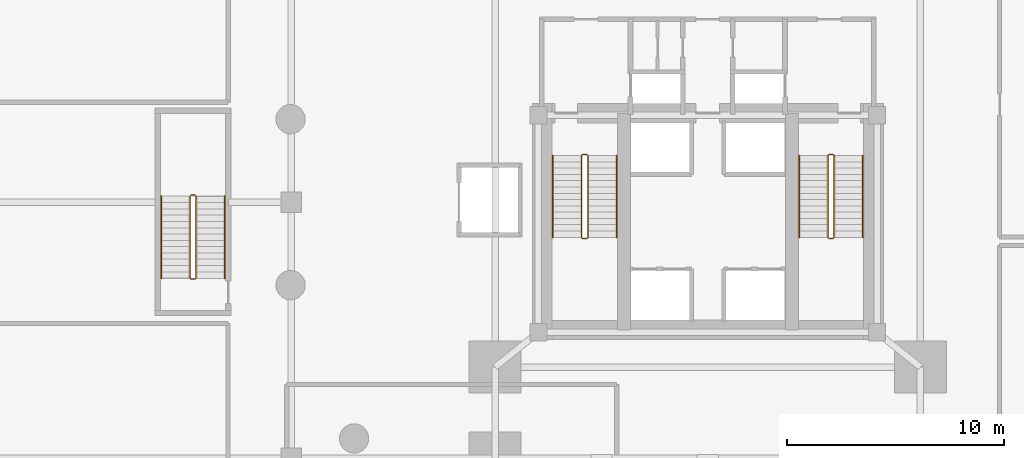
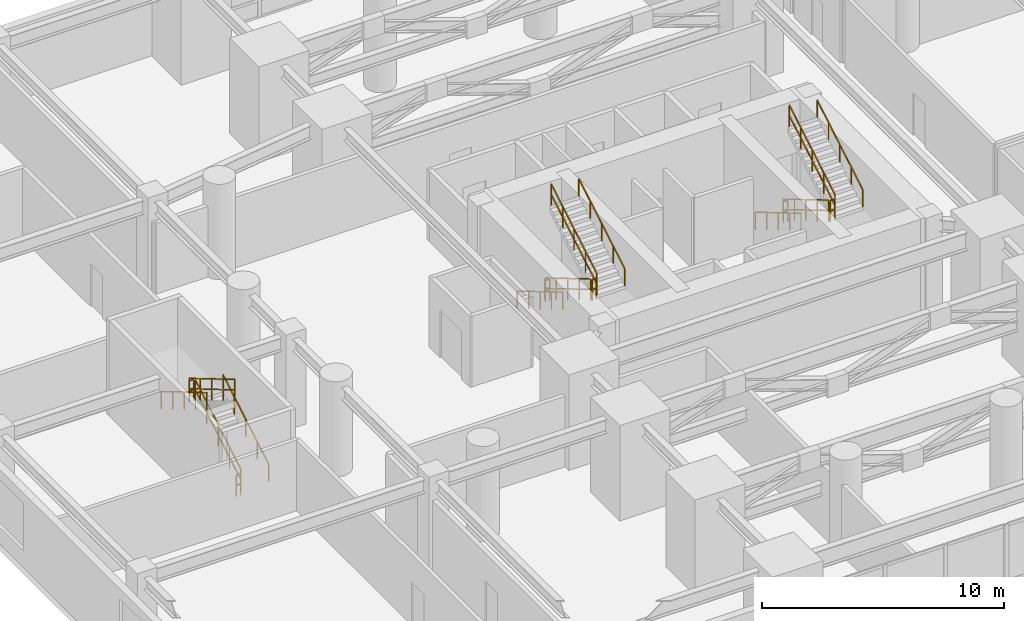
# One storey, part 17 of 17: 18 railings.
"""IFC4 building model written with IfcOpenShell, lengths in metres."""

from ifc_helpers import new_model, si_unit, direction, frame, origin, origin_2d, place, context, subcontext, project, spatial, rectangle, extrude, material, type_object, element, save


model = new_model("IFC4")

# Units and contexts
model_context = context("Model", 3, precision=1e-05, world=origin(), true_north=direction((0.0, 1.0)))
body_context = subcontext(model_context, "Body", "Model", "MODEL_VIEW")
ifc_project = project(units=[si_unit("LENGTHUNIT", "METRE"), si_unit("AREAUNIT", "SQUARE_METRE"), si_unit("VOLUMEUNIT", "CUBIC_METRE"), si_unit("PLANEANGLEUNIT", "RADIAN"), si_unit("MASSUNIT", "GRAM", prefix="KILO"), si_unit("THERMODYNAMICTEMPERATUREUNIT", "KELVIN"), si_unit("POWERUNIT", "WATT")], contexts=[model_context])

# Site, building, storey
site_placement = place(None, origin())
site = spatial("IfcSite", under=ifc_project, at=site_placement, CompositionType="ELEMENT")
building_placement = place(site_placement, origin())
building = spatial("IfcBuilding", under=site, at=building_placement, Name="Ocrelia Relay Tower", CompositionType="ELEMENT")
storey_placement = place(building_placement, frame((0.0, 0.0, 20.39990234375)))
storey = spatial("IfcBuildingStorey", under=building, at=storey_placement, Name="L04", CompositionType="ELEMENT", Elevation=20.39990234375)

# Railings
ifc_material_1 = material(Name="Steel S355 balustrade", Category="steel")
railing_type_1 = type_object("IfcRailingType", Name="RL-STAIR-GUARD", PredefinedType="GUARDRAIL", material=ifc_material_1)
railing_1_placement = place(storey_placement, frame((28.179931640625, 28.14990234375, 0.171630859375)))
element("IfcRailing", 1, at=railing_1_placement, inside=storey, type_object=railing_type_1, Name="L04 ST1 stair guard 1", PredefinedType="GUARDRAIL", context=body_context, shape_type="SweptSolid", body=[
    extrude(rectangle(XDim=0.048095703125, YDim=0.048095703125, at=origin_2d()), frame((0.0, 0.0, 1.076171875), z_axis=(0.0, -0.860848830602, 0.508860777473), x_axis=(1.0, 0.0, 0.0)), (0.0, 0.0, 1.0), 4.37939453125),
    extrude(rectangle(XDim=0.048095703125, YDim=0.048095703125, at=origin_2d()), frame((0.0, 0.0, 0.550048828125), z_axis=(0.0, -0.860848830602, 0.508860777473), x_axis=(1.0, 0.0, 0.0)), (0.0, 0.0, 1.0), 4.37939453125),
    extrude(rectangle(XDim=0.0419921875, YDim=0.0419921875, at=origin_2d()), origin(), (0.0, 0.0, 1.0), 1.052001953125),
    extrude(rectangle(XDim=0.0419921875, YDim=0.0419921875, at=origin_2d()), frame((0.0, -0.9423828125, 0.55712890625)), (0.0, 0.0, 1.0), 1.052001953125),
    extrude(rectangle(XDim=0.0419921875, YDim=0.0419921875, at=origin_2d()), frame((0.0, -1.885009765625, 1.1142578125)), (0.0, 0.0, 1.0), 1.052001953125),
    extrude(rectangle(XDim=0.0419921875, YDim=0.0419921875, at=origin_2d()), frame((0.0, -2.82763671875, 1.67138671875)), (0.0, 0.0, 1.0), 1.052001953125),
    extrude(rectangle(XDim=0.0419921875, YDim=0.0419921875, at=origin_2d()), frame((0.0, -3.77001953125, 2.228515625)), (0.0, 0.0, 1.0), 1.052001953125),
])
railing_2_placement = place(storey_placement, frame((28.22998046875, 24.330078125, 2.400146484375)))
element("IfcRailing", 2, at=railing_2_placement, inside=storey, type_object=railing_type_1, Name="L04 ST1 stair guard 2", PredefinedType="GUARDRAIL", context=body_context, shape_type="SweptSolid", body=[
    extrude(rectangle(XDim=0.048095703125, YDim=0.048095703125, at=origin_2d()), frame((0.0, 0.0, 1.076171875), z_axis=(1.0, 0.0, 0.0), x_axis=(0.0, 1.0, 0.0)), (0.0, 0.0, 1.0), 0.199951171875),
    extrude(rectangle(XDim=0.048095703125, YDim=0.048095703125, at=origin_2d()), frame((0.0, 0.0, 0.550048828125), z_axis=(1.0, 0.0, 0.0), x_axis=(0.0, 1.0, 0.0)), (0.0, 0.0, 1.0), 0.199951171875),
    extrude(rectangle(XDim=0.0419921875, YDim=0.0419921875, at=origin_2d()), origin(), (0.0, 0.0, 1.0), 1.052001953125),
    extrude(rectangle(XDim=0.0419921875, YDim=0.0419921875, at=origin_2d()), frame((0.199951171875, 0.0, 0.0)), (0.0, 0.0, 1.0), 1.052001953125),
])
railing_3_placement = place(storey_placement, frame((28.47998046875, 24.3798828125, 2.571533203125)))
element("IfcRailing", 3, at=railing_3_placement, inside=storey, type_object=railing_type_1, Name="L04 ST1 stair guard 3", PredefinedType="GUARDRAIL", context=body_context, shape_type="SweptSolid", body=[
    extrude(rectangle(XDim=0.048095703125, YDim=0.048095703125, at=origin_2d()), frame((0.0, 0.0, 1.076171875), z_axis=(0.0, 0.860848830602, 0.508860777473), x_axis=(-1.0, 0.0, 0.0)), (0.0, 0.0, 1.0), 4.37939453125),
    extrude(rectangle(XDim=0.048095703125, YDim=0.048095703125, at=origin_2d()), frame((0.0, 0.0, 0.550048828125), z_axis=(0.0, 0.860848830602, 0.508860777473), x_axis=(-1.0, 0.0, 0.0)), (0.0, 0.0, 1.0), 4.37939453125),
    extrude(rectangle(XDim=0.0419921875, YDim=0.0419921875, at=origin_2d()), origin(), (0.0, 0.0, 1.0), 1.052001953125),
    extrude(rectangle(XDim=0.0419921875, YDim=0.0419921875, at=origin_2d()), frame((0.0, 0.9423828125, 0.55712890625)), (0.0, 0.0, 1.0), 1.052001953125),
    extrude(rectangle(XDim=0.0419921875, YDim=0.0419921875, at=origin_2d()), frame((0.0, 1.885009765625, 1.1142578125)), (0.0, 0.0, 1.0), 1.052001953125),
    extrude(rectangle(XDim=0.0419921875, YDim=0.0419921875, at=origin_2d()), frame((0.0, 2.82763671875, 1.67138671875)), (0.0, 0.0, 1.0), 1.052001953125),
    extrude(rectangle(XDim=0.0419921875, YDim=0.0419921875, at=origin_2d()), frame((0.0, 3.77001953125, 2.228515625)), (0.0, 0.0, 1.0), 1.052001953125),
])
railing_4_placement = place(storey_placement, frame((28.22998046875, 28.199951171875, 0.0)))
element("IfcRailing", 4, at=railing_4_placement, inside=storey, type_object=railing_type_1, Name="L04 ST1 stair guard 4", PredefinedType="GUARDRAIL", context=body_context, shape_type="SweptSolid", body=[
    extrude(rectangle(XDim=0.048095703125, YDim=0.048095703125, at=origin_2d()), frame((0.0, 0.0, 1.076171875), z_axis=(1.0, 0.0, 0.0), x_axis=(0.0, 1.0, 0.0)), (0.0, 0.0, 1.0), 0.199951171875),
    extrude(rectangle(XDim=0.048095703125, YDim=0.048095703125, at=origin_2d()), frame((0.0, 0.0, 0.550048828125), z_axis=(1.0, 0.0, 0.0), x_axis=(0.0, 1.0, 0.0)), (0.0, 0.0, 1.0), 0.199951171875),
    extrude(rectangle(XDim=0.0419921875, YDim=0.0419921875, at=origin_2d()), origin(), (0.0, 0.0, 1.0), 1.052001953125),
    extrude(rectangle(XDim=0.0419921875, YDim=0.0419921875, at=origin_2d()), frame((0.199951171875, 0.0, 0.0)), (0.0, 0.0, 1.0), 1.052001953125),
])
railing_5_placement = place(storey_placement, frame((39.530029296875, 28.14990234375, 0.171630859375)))
element("IfcRailing", 5, at=railing_5_placement, inside=storey, type_object=railing_type_1, Name="L04 ST2 stair guard 1", PredefinedType="GUARDRAIL", context=body_context, shape_type="SweptSolid", body=[
    extrude(rectangle(XDim=0.048095703125, YDim=0.048095703125, at=origin_2d()), frame((0.0, 0.0, 1.076171875), z_axis=(0.0, -0.860848830602, 0.508860777473), x_axis=(1.0, 0.0, 0.0)), (0.0, 0.0, 1.0), 4.37939453125),
    extrude(rectangle(XDim=0.048095703125, YDim=0.048095703125, at=origin_2d()), frame((0.0, 0.0, 0.550048828125), z_axis=(0.0, -0.860848830602, 0.508860777473), x_axis=(1.0, 0.0, 0.0)), (0.0, 0.0, 1.0), 4.37939453125),
    extrude(rectangle(XDim=0.0419921875, YDim=0.0419921875, at=origin_2d()), origin(), (0.0, 0.0, 1.0), 1.052001953125),
    extrude(rectangle(XDim=0.0419921875, YDim=0.0419921875, at=origin_2d()), frame((0.0, -0.9423828125, 0.55712890625)), (0.0, 0.0, 1.0), 1.052001953125),
    extrude(rectangle(XDim=0.0419921875, YDim=0.0419921875, at=origin_2d()), frame((0.0, -1.885009765625, 1.1142578125)), (0.0, 0.0, 1.0), 1.052001953125),
    extrude(rectangle(XDim=0.0419921875, YDim=0.0419921875, at=origin_2d()), frame((0.0, -2.82763671875, 1.67138671875)), (0.0, 0.0, 1.0), 1.052001953125),
    extrude(rectangle(XDim=0.0419921875, YDim=0.0419921875, at=origin_2d()), frame((0.0, -3.77001953125, 2.228515625)), (0.0, 0.0, 1.0), 1.052001953125),
])
railing_6_placement = place(storey_placement, frame((39.580078125, 24.330078125, 2.400146484375)))
element("IfcRailing", 6, at=railing_6_placement, inside=storey, type_object=railing_type_1, Name="L04 ST2 stair guard 2", PredefinedType="GUARDRAIL", context=body_context, shape_type="SweptSolid", body=[
    extrude(rectangle(XDim=0.048095703125, YDim=0.048095703125, at=origin_2d()), frame((0.0, 0.0, 1.076171875), z_axis=(1.0, 0.0, 0.0), x_axis=(0.0, 1.0, 0.0)), (0.0, 0.0, 1.0), 0.199951171875),
    extrude(rectangle(XDim=0.048095703125, YDim=0.048095703125, at=origin_2d()), frame((0.0, 0.0, 0.550048828125), z_axis=(1.0, 0.0, 0.0), x_axis=(0.0, 1.0, 0.0)), (0.0, 0.0, 1.0), 0.199951171875),
    extrude(rectangle(XDim=0.0419921875, YDim=0.0419921875, at=origin_2d()), origin(), (0.0, 0.0, 1.0), 1.052001953125),
    extrude(rectangle(XDim=0.0419921875, YDim=0.0419921875, at=origin_2d()), frame((0.199951171875, 0.0, 0.0)), (0.0, 0.0, 1.0), 1.052001953125),
])
railing_7_placement = place(storey_placement, frame((39.830078125, 24.3798828125, 2.571533203125)))
element("IfcRailing", 7, at=railing_7_placement, inside=storey, type_object=railing_type_1, Name="L04 ST2 stair guard 3", PredefinedType="GUARDRAIL", context=body_context, shape_type="SweptSolid", body=[
    extrude(rectangle(XDim=0.048095703125, YDim=0.048095703125, at=origin_2d()), frame((0.0, 0.0, 1.076171875), z_axis=(0.0, 0.860848830602, 0.508860777473), x_axis=(-1.0, 0.0, 0.0)), (0.0, 0.0, 1.0), 4.37939453125),
    extrude(rectangle(XDim=0.048095703125, YDim=0.048095703125, at=origin_2d()), frame((0.0, 0.0, 0.550048828125), z_axis=(0.0, 0.860848830602, 0.508860777473), x_axis=(-1.0, 0.0, 0.0)), (0.0, 0.0, 1.0), 4.37939453125),
    extrude(rectangle(XDim=0.0419921875, YDim=0.0419921875, at=origin_2d()), origin(), (0.0, 0.0, 1.0), 1.052001953125),
    extrude(rectangle(XDim=0.0419921875, YDim=0.0419921875, at=origin_2d()), frame((0.0, 0.9423828125, 0.55712890625)), (0.0, 0.0, 1.0), 1.052001953125),
    extrude(rectangle(XDim=0.0419921875, YDim=0.0419921875, at=origin_2d()), frame((0.0, 1.885009765625, 1.1142578125)), (0.0, 0.0, 1.0), 1.052001953125),
    extrude(rectangle(XDim=0.0419921875, YDim=0.0419921875, at=origin_2d()), frame((0.0, 2.82763671875, 1.67138671875)), (0.0, 0.0, 1.0), 1.052001953125),
    extrude(rectangle(XDim=0.0419921875, YDim=0.0419921875, at=origin_2d()), frame((0.0, 3.77001953125, 2.228515625)), (0.0, 0.0, 1.0), 1.052001953125),
])
railing_8_placement = place(storey_placement, frame((39.580078125, 28.199951171875, 0.0)))
element("IfcRailing", 8, at=railing_8_placement, inside=storey, type_object=railing_type_1, Name="L04 ST2 stair guard 4", PredefinedType="GUARDRAIL", context=body_context, shape_type="SweptSolid", body=[
    extrude(rectangle(XDim=0.048095703125, YDim=0.048095703125, at=origin_2d()), frame((0.0, 0.0, 1.076171875), z_axis=(1.0, 0.0, 0.0), x_axis=(0.0, 1.0, 0.0)), (0.0, 0.0, 1.0), 0.199951171875),
    extrude(rectangle(XDim=0.048095703125, YDim=0.048095703125, at=origin_2d()), frame((0.0, 0.0, 0.550048828125), z_axis=(1.0, 0.0, 0.0), x_axis=(0.0, 1.0, 0.0)), (0.0, 0.0, 1.0), 0.199951171875),
    extrude(rectangle(XDim=0.0419921875, YDim=0.0419921875, at=origin_2d()), origin(), (0.0, 0.0, 1.0), 1.052001953125),
    extrude(rectangle(XDim=0.0419921875, YDim=0.0419921875, at=origin_2d()), frame((0.199951171875, 0.0, 0.0)), (0.0, 0.0, 1.0), 1.052001953125),
])
railing_9_placement = place(storey_placement, frame((10.429931640625, 22.5, 0.171630859375)))
element("IfcRailing", 9, at=railing_9_placement, inside=storey, type_object=railing_type_1, Name="L04 ST3 stair guard 1", PredefinedType="GUARDRAIL", context=body_context, shape_type="SweptSolid", body=[
    extrude(rectangle(XDim=0.048095703125, YDim=0.048095703125, at=origin_2d()), frame((0.0, 0.0, 1.076171875), z_axis=(0.0, 0.860848830602, 0.508860777473), x_axis=(-1.0, 0.0, 0.0)), (0.0, 0.0, 1.0), 4.37939453125),
    extrude(rectangle(XDim=0.048095703125, YDim=0.048095703125, at=origin_2d()), frame((0.0, 0.0, 0.550048828125), z_axis=(0.0, 0.860848830602, 0.508860777473), x_axis=(-1.0, 0.0, 0.0)), (0.0, 0.0, 1.0), 4.37939453125),
    extrude(rectangle(XDim=0.0419921875, YDim=0.0419921875, at=origin_2d()), origin(), (0.0, 0.0, 1.0), 1.052001953125),
    extrude(rectangle(XDim=0.0419921875, YDim=0.0419921875, at=origin_2d()), frame((0.0, 0.9423828125, 0.55712890625)), (0.0, 0.0, 1.0), 1.052001953125),
    extrude(rectangle(XDim=0.0419921875, YDim=0.0419921875, at=origin_2d()), frame((0.0, 1.885009765625, 1.1142578125)), (0.0, 0.0, 1.0), 1.052001953125),
    extrude(rectangle(XDim=0.0419921875, YDim=0.0419921875, at=origin_2d()), frame((0.0, 2.82763671875, 1.67138671875)), (0.0, 0.0, 1.0), 1.052001953125),
    extrude(rectangle(XDim=0.0419921875, YDim=0.0419921875, at=origin_2d()), frame((0.0, 3.77001953125, 2.228515625)), (0.0, 0.0, 1.0), 1.052001953125),
])
railing_10_placement = place(storey_placement, frame((10.3798828125, 26.320068359375, 2.400146484375)))
element("IfcRailing", 10, at=railing_10_placement, inside=storey, type_object=railing_type_1, Name="L04 ST3 stair guard 2", PredefinedType="GUARDRAIL", context=body_context, shape_type="SweptSolid", body=[
    extrude(rectangle(XDim=0.048095703125, YDim=0.048095703125, at=origin_2d()), frame((0.0, 0.0, 1.076171875), z_axis=(-1.0, 0.0, 0.0), x_axis=(0.0, -1.0, 0.0)), (0.0, 0.0, 1.0), 0.199951171875),
    extrude(rectangle(XDim=0.048095703125, YDim=0.048095703125, at=origin_2d()), frame((0.0, 0.0, 0.550048828125), z_axis=(-1.0, 0.0, 0.0), x_axis=(0.0, -1.0, 0.0)), (0.0, 0.0, 1.0), 0.199951171875),
    extrude(rectangle(XDim=0.0419921875, YDim=0.0419921875, at=origin_2d()), origin(), (0.0, 0.0, 1.0), 1.052001953125),
    extrude(rectangle(XDim=0.0419921875, YDim=0.0419921875, at=origin_2d()), frame((-0.199951171875, 0.0, 0.0)), (0.0, 0.0, 1.0), 1.052001953125),
])
railing_11_placement = place(storey_placement, frame((10.1298828125, 26.27001953125, 2.571533203125)))
element("IfcRailing", 11, at=railing_11_placement, inside=storey, type_object=railing_type_1, Name="L04 ST3 stair guard 3", PredefinedType="GUARDRAIL", context=body_context, shape_type="SweptSolid", body=[
    extrude(rectangle(XDim=0.048095703125, YDim=0.048095703125, at=origin_2d()), frame((0.0, 0.0, 1.076171875), z_axis=(0.0, -0.860848830602, 0.508860777473), x_axis=(1.0, 0.0, 0.0)), (0.0, 0.0, 1.0), 4.37939453125),
    extrude(rectangle(XDim=0.048095703125, YDim=0.048095703125, at=origin_2d()), frame((0.0, 0.0, 0.550048828125), z_axis=(0.0, -0.860848830602, 0.508860777473), x_axis=(1.0, 0.0, 0.0)), (0.0, 0.0, 1.0), 4.37939453125),
    extrude(rectangle(XDim=0.0419921875, YDim=0.0419921875, at=origin_2d()), origin(), (0.0, 0.0, 1.0), 1.052001953125),
    extrude(rectangle(XDim=0.0419921875, YDim=0.0419921875, at=origin_2d()), frame((0.0, -0.9423828125, 0.55712890625)), (0.0, 0.0, 1.0), 1.052001953125),
    extrude(rectangle(XDim=0.0419921875, YDim=0.0419921875, at=origin_2d()), frame((0.0, -1.885009765625, 1.1142578125)), (0.0, 0.0, 1.0), 1.052001953125),
    extrude(rectangle(XDim=0.0419921875, YDim=0.0419921875, at=origin_2d()), frame((0.0, -2.82763671875, 1.67138671875)), (0.0, 0.0, 1.0), 1.052001953125),
    extrude(rectangle(XDim=0.0419921875, YDim=0.0419921875, at=origin_2d()), frame((0.0, -3.77001953125, 2.228515625)), (0.0, 0.0, 1.0), 1.052001953125),
])
railing_12_placement = place(storey_placement, frame((10.3798828125, 22.449951171875, 0.0)))
element("IfcRailing", 12, at=railing_12_placement, inside=storey, type_object=railing_type_1, Name="L04 ST3 stair guard 4", PredefinedType="GUARDRAIL", context=body_context, shape_type="SweptSolid", body=[
    extrude(rectangle(XDim=0.048095703125, YDim=0.048095703125, at=origin_2d()), frame((0.0, 0.0, 1.076171875), z_axis=(-1.0, 0.0, 0.0), x_axis=(0.0, -1.0, 0.0)), (0.0, 0.0, 1.0), 0.199951171875),
    extrude(rectangle(XDim=0.048095703125, YDim=0.048095703125, at=origin_2d()), frame((0.0, 0.0, 0.550048828125), z_axis=(-1.0, 0.0, 0.0), x_axis=(0.0, -1.0, 0.0)), (0.0, 0.0, 1.0), 0.199951171875),
    extrude(rectangle(XDim=0.0419921875, YDim=0.0419921875, at=origin_2d()), origin(), (0.0, 0.0, 1.0), 1.052001953125),
    extrude(rectangle(XDim=0.0419921875, YDim=0.0419921875, at=origin_2d()), frame((-0.199951171875, 0.0, 0.0)), (0.0, 0.0, 1.0), 1.052001953125),
])
ifc_material_2 = material(Name="Steel S355 tubular handrail", Category="steel")
railing_type_2 = type_object("IfcRailingType", Name="RL-STAIR-HAND", PredefinedType="HANDRAIL", material=ifc_material_2)
railing_13_placement = place(storey_placement, frame((26.860107421875, 28.14990234375, 0.171630859375)))
element("IfcRailing", 13, at=railing_13_placement, inside=storey, type_object=railing_type_2, Name="L04 ST1 stair handrail 1", PredefinedType="HANDRAIL", context=body_context, shape_type="SweptSolid", body=[
    extrude(rectangle(XDim=0.048095703125, YDim=0.048095703125, at=origin_2d()), frame((0.0, 0.0, 0.8759765625), z_axis=(0.0, -0.860848830602, 0.508860777473), x_axis=(1.0, 0.0, 0.0)), (0.0, 0.0, 1.0), 4.37939453125),
    extrude(rectangle(XDim=0.0419921875, YDim=0.0419921875, at=origin_2d()), origin(), (0.0, 0.0, 1.0), 0.851806640625),
    extrude(rectangle(XDim=0.0419921875, YDim=0.0419921875, at=origin_2d()), frame((0.0, -0.9423828125, 0.55712890625)), (0.0, 0.0, 1.0), 0.851806640625),
    extrude(rectangle(XDim=0.0419921875, YDim=0.0419921875, at=origin_2d()), frame((0.0, -1.885009765625, 1.1142578125)), (0.0, 0.0, 1.0), 0.851806640625),
    extrude(rectangle(XDim=0.0419921875, YDim=0.0419921875, at=origin_2d()), frame((0.0, -2.82763671875, 1.67138671875)), (0.0, 0.0, 1.0), 0.851806640625),
    extrude(rectangle(XDim=0.0419921875, YDim=0.0419921875, at=origin_2d()), frame((0.0, -3.77001953125, 2.228515625)), (0.0, 0.0, 1.0), 0.851806640625),
])
railing_14_placement = place(storey_placement, frame((29.800048828125, 24.3798828125, 2.571533203125)))
element("IfcRailing", 14, at=railing_14_placement, inside=storey, type_object=railing_type_2, Name="L04 ST1 stair handrail 2", PredefinedType="HANDRAIL", context=body_context, shape_type="SweptSolid", body=[
    extrude(rectangle(XDim=0.048095703125, YDim=0.048095703125, at=origin_2d()), frame((0.0, 0.0, 0.8759765625), z_axis=(0.0, 0.860848830602, 0.508860777473), x_axis=(-1.0, 0.0, 0.0)), (0.0, 0.0, 1.0), 4.37939453125),
    extrude(rectangle(XDim=0.0419921875, YDim=0.0419921875, at=origin_2d()), origin(), (0.0, 0.0, 1.0), 0.851806640625),
    extrude(rectangle(XDim=0.0419921875, YDim=0.0419921875, at=origin_2d()), frame((0.0, 0.9423828125, 0.55712890625)), (0.0, 0.0, 1.0), 0.851806640625),
    extrude(rectangle(XDim=0.0419921875, YDim=0.0419921875, at=origin_2d()), frame((0.0, 1.885009765625, 1.1142578125)), (0.0, 0.0, 1.0), 0.851806640625),
    extrude(rectangle(XDim=0.0419921875, YDim=0.0419921875, at=origin_2d()), frame((0.0, 2.82763671875, 1.67138671875)), (0.0, 0.0, 1.0), 0.851806640625),
    extrude(rectangle(XDim=0.0419921875, YDim=0.0419921875, at=origin_2d()), frame((0.0, 3.77001953125, 2.228515625)), (0.0, 0.0, 1.0), 0.851806640625),
])
railing_15_placement = place(storey_placement, frame((38.2099609375, 28.14990234375, 0.171630859375)))
element("IfcRailing", 15, at=railing_15_placement, inside=storey, type_object=railing_type_2, Name="L04 ST2 stair handrail 1", PredefinedType="HANDRAIL", context=body_context, shape_type="SweptSolid", body=[
    extrude(rectangle(XDim=0.048095703125, YDim=0.048095703125, at=origin_2d()), frame((0.0, 0.0, 0.8759765625), z_axis=(0.0, -0.860848830602, 0.508860777473), x_axis=(1.0, 0.0, 0.0)), (0.0, 0.0, 1.0), 4.37939453125),
    extrude(rectangle(XDim=0.0419921875, YDim=0.0419921875, at=origin_2d()), origin(), (0.0, 0.0, 1.0), 0.851806640625),
    extrude(rectangle(XDim=0.0419921875, YDim=0.0419921875, at=origin_2d()), frame((0.0, -0.9423828125, 0.55712890625)), (0.0, 0.0, 1.0), 0.851806640625),
    extrude(rectangle(XDim=0.0419921875, YDim=0.0419921875, at=origin_2d()), frame((0.0, -1.885009765625, 1.1142578125)), (0.0, 0.0, 1.0), 0.851806640625),
    extrude(rectangle(XDim=0.0419921875, YDim=0.0419921875, at=origin_2d()), frame((0.0, -2.82763671875, 1.67138671875)), (0.0, 0.0, 1.0), 0.851806640625),
    extrude(rectangle(XDim=0.0419921875, YDim=0.0419921875, at=origin_2d()), frame((0.0, -3.77001953125, 2.228515625)), (0.0, 0.0, 1.0), 0.851806640625),
])
for number, where, name in (
    (16, (41.14990234375, 24.3798828125, 2.571533203125), "L04 ST2 stair handrail 2"),
    (17, (11.75, 22.5, 0.171630859375), "L04 ST3 stair handrail 1"),
):
    element("IfcRailing", number, at=place(storey_placement, frame(where)), inside=storey, type_object=railing_type_2, Name=name, PredefinedType="HANDRAIL", context=body_context, shape_type="SweptSolid", body=[
        extrude(rectangle(XDim=0.048095703125, YDim=0.048095703125, at=origin_2d()), frame((0.0, 0.0, 0.8759765625), z_axis=(0.0, 0.860848830602, 0.508860777473), x_axis=(-1.0, 0.0, 0.0)), (0.0, 0.0, 1.0), 4.37939453125),
        extrude(rectangle(XDim=0.0419921875, YDim=0.0419921875, at=origin_2d()), origin(), (0.0, 0.0, 1.0), 0.851806640625),
        extrude(rectangle(XDim=0.0419921875, YDim=0.0419921875, at=origin_2d()), frame((0.0, 0.9423828125, 0.55712890625)), (0.0, 0.0, 1.0), 0.851806640625),
        extrude(rectangle(XDim=0.0419921875, YDim=0.0419921875, at=origin_2d()), frame((0.0, 1.885009765625, 1.1142578125)), (0.0, 0.0, 1.0), 0.851806640625),
        extrude(rectangle(XDim=0.0419921875, YDim=0.0419921875, at=origin_2d()), frame((0.0, 2.82763671875, 1.67138671875)), (0.0, 0.0, 1.0), 0.851806640625),
        extrude(rectangle(XDim=0.0419921875, YDim=0.0419921875, at=origin_2d()), frame((0.0, 3.77001953125, 2.228515625)), (0.0, 0.0, 1.0), 0.851806640625),
    ])
railing_16_placement = place(storey_placement, frame((8.81005859375, 26.27001953125, 2.571533203125)))
element("IfcRailing", 18, at=railing_16_placement, inside=storey, type_object=railing_type_2, Name="L04 ST3 stair handrail 2", PredefinedType="HANDRAIL", context=body_context, shape_type="SweptSolid", body=[
    extrude(rectangle(XDim=0.048095703125, YDim=0.048095703125, at=origin_2d()), frame((0.0, 0.0, 0.8759765625), z_axis=(0.0, -0.860848830602, 0.508860777473), x_axis=(1.0, 0.0, 0.0)), (0.0, 0.0, 1.0), 4.37939453125),
    extrude(rectangle(XDim=0.0419921875, YDim=0.0419921875, at=origin_2d()), origin(), (0.0, 0.0, 1.0), 0.851806640625),
    extrude(rectangle(XDim=0.0419921875, YDim=0.0419921875, at=origin_2d()), frame((0.0, -0.9423828125, 0.55712890625)), (0.0, 0.0, 1.0), 0.851806640625),
    extrude(rectangle(XDim=0.0419921875, YDim=0.0419921875, at=origin_2d()), frame((0.0, -1.885009765625, 1.1142578125)), (0.0, 0.0, 1.0), 0.851806640625),
    extrude(rectangle(XDim=0.0419921875, YDim=0.0419921875, at=origin_2d()), frame((0.0, -2.82763671875, 1.67138671875)), (0.0, 0.0, 1.0), 0.851806640625),
    extrude(rectangle(XDim=0.0419921875, YDim=0.0419921875, at=origin_2d()), frame((0.0, -3.77001953125, 2.228515625)), (0.0, 0.0, 1.0), 0.851806640625),
])

save(model, "model.ifc")
